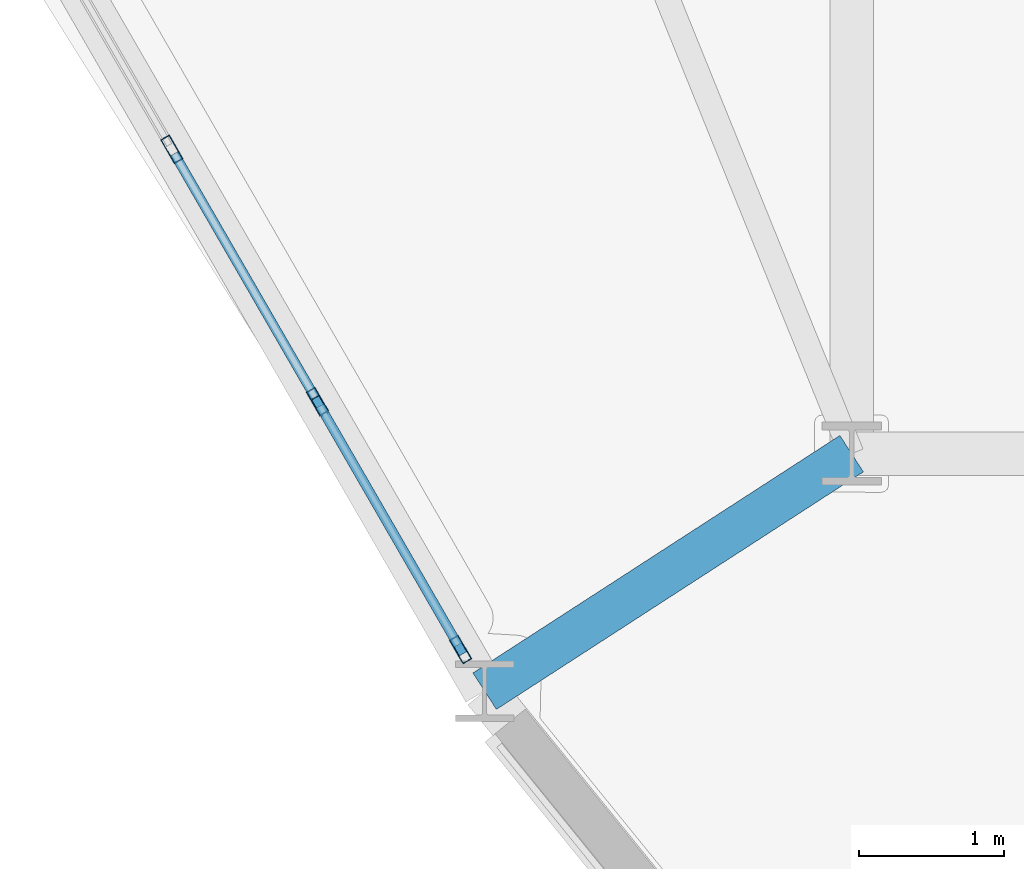
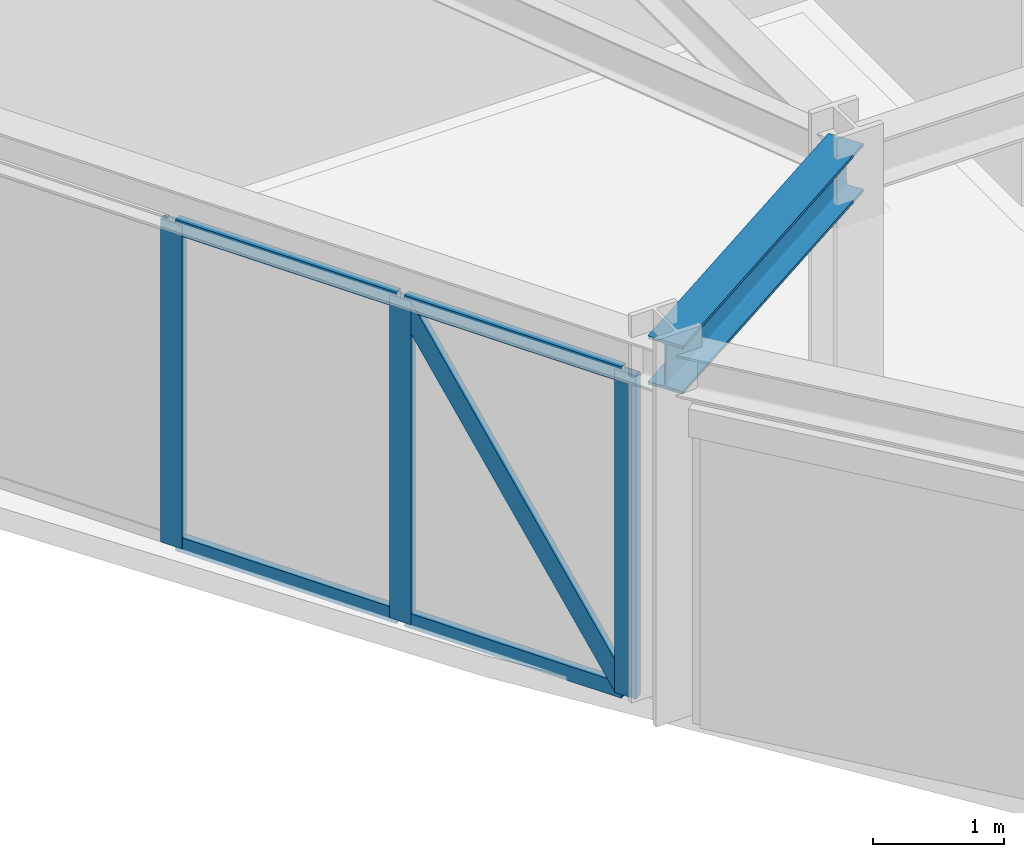
# One storey, part 2 of 14: 8 members, 1 beam, 1 element without a shape of its own.
"""IFC4 building model written with IfcOpenShell, lengths in metres."""

from ifc_helpers import new_model, si_unit, derived_unit, direction, frame, origin, origin_2d, place, context, subcontext, project, spatial, hollow_rectangle, i_section, extrude, source, transform, mapped, material, layer, layer_set, material_profile, profile_set, type_object, element, aggregate, save


model = new_model("IFC4")

# Units and contexts
model_context = context("Model", 3, precision=1e-05, world=origin(), true_north=direction((0.0, 1.0)))
body_context = subcontext(model_context, "Body", "Model", "MODEL_VIEW")
ifc_project = project(units=[si_unit("LENGTHUNIT", "METRE"), si_unit("AREAUNIT", "SQUARE_METRE"), si_unit("VOLUMEUNIT", "CUBIC_METRE"), si_unit("PLANEANGLEUNIT", "RADIAN"), si_unit("MASSUNIT", "GRAM", prefix="KILO"), derived_unit("THERMALTRANSMITTANCEUNIT", [(si_unit("POWERUNIT", "WATT"), 1), (si_unit("LENGTHUNIT", "METRE"), -2), (si_unit("THERMODYNAMICTEMPERATUREUNIT", "KELVIN"), -1)])], contexts=[model_context])

# Site, building, storey
site_placement = place(None, origin())
site = spatial("IfcSite", under=ifc_project, at=site_placement, CompositionType="ELEMENT")
building_placement = place(site_placement, origin())
building = spatial("IfcBuilding", under=site, at=building_placement, Name="Korsvarv Bourse and Concert Hall", CompositionType="ELEMENT")
storey_placement = place(building_placement, frame((0.0, 0.0, 172.199951171875)))
storey = spatial("IfcBuildingStorey", under=building, at=storey_placement, Name="L44", CompositionType="ELEMENT", Elevation=172.199951171875)

# Beam
ifc_material_1 = material(Name="Steel S355", Category="steel")
ifc_material_profile_1 = material_profile(ifc_material_1, i_section(OverallWidth=0.300048828125, OverallDepth=0.449951171875, WebThickness=0.013916015625, FlangeThickness=0.02587890625, FilletRadius=0.02099609375, at=origin_2d()), Name="HEB 450")
ifc_profile_set_1 = profile_set([ifc_material_profile_1], Name="Steel S355")
beam_type = type_object("IfcBeamType", Name="BM-HEB450", PredefinedType="SPANDREL", material=ifc_profile_set_1)
shared_shape_1 = source(origin(), body_context, "Body", "SweptSolid", [
    extrude(i_section(OverallWidth=0.300048828125, OverallDepth=0.449951171875, WebThickness=0.013916015625, FlangeThickness=0.02587890625, FilletRadius=0.02099609375, at=origin_2d()), origin(), (0.0, 0.0, 1.0), 3.025390625),
])
beam_placement = place(storey_placement, frame((25.060302734375, 22.356201171875, 3.175048828125), z_axis=(0.839509529418, 0.543344964104, 0.0), x_axis=(-0.543344964104, 0.839509529418, 0.0)))
element("IfcBeam", 1, at=beam_placement, inside=storey, type_object=beam_type, Name="L44 beam B-08", PredefinedType="SPANDREL", context=body_context, shape_type="MappedRepresentation", body=[
    mapped(shared_shape_1, transform((0.0, 0.0, 0.0), scale=1.0)),
])

# Curtain wall, members
ifc_material_2 = material(Name="Anodised aluminium and triple low-E glazing", Category="glass")
ifc_layer = layer(ifc_material_2, 0.199951171875)
ifc_layer_set = layer_set([ifc_layer], Name="Anodised aluminium and triple low-E glazing")
curtain_wall_type = type_object("IfcCurtainWallType", Name="CW-SYS-3", PredefinedType="NOTDEFINED", material=ifc_layer_set)
curtain_wall_placement = place(storey_placement, origin())
curtain_wall = element("IfcCurtainWall", 2, at=curtain_wall_placement, inside=storey, type_object=curtain_wall_type, Name="L44 CW3 curtain wall CW-L44-F07", PredefinedType="NOTDEFINED")
ifc_material_3 = material(Name="Extruded aluminium EN AW-6063 T66", Category="aluminium")
ifc_material_profile_2 = material_profile(ifc_material_3, hollow_rectangle(XDim=0.070068359375, YDim=0.18994140625, WallThickness=0.0048828125, at=origin_2d()), Name="ALU-M 70x190")
ifc_profile_set_2 = profile_set([ifc_material_profile_2], Name="Extruded aluminium EN AW-6063 T66")
member_type_1 = type_object("IfcMemberType", Name="CWM-190", PredefinedType="MULLION", material=ifc_profile_set_2)
shared_shape_2 = source(origin(), body_context, "Body", "SweptSolid", [
    extrude(hollow_rectangle(XDim=0.070068359375, YDim=0.18994140625, WallThickness=0.0048828125, at=origin_2d()), origin(), (0.0, 0.0, 1.0), 3.010009765625),
])
member_1_placement = place(storey_placement, frame((22.8955078125, 26.106201171875, 0.0), z_axis=(0.0, 0.0, 1.0), x_axis=(0.866028642731, 0.499994389938, 0.0)))
member_1 = element("IfcMember", 3, at=member_1_placement, type_object=member_type_1, Name="CW3 mullion 5", PredefinedType="MULLION", context=body_context, shape_type="MappedRepresentation", body=[
    mapped(shared_shape_2, transform((0.0, 0.0, 0.0), scale=1.0)),
])
member_2_placement = place(storey_placement, frame((23.9033203125, 24.3603515625, 0.0), z_axis=(0.0, 0.0, 1.0), x_axis=(0.866028642731, 0.499994389938, 0.0)))
member_2 = element("IfcMember", 4, at=member_2_placement, type_object=member_type_1, Name="CW3 mullion 6", PredefinedType="MULLION", context=body_context, shape_type="MappedRepresentation", body=[
    mapped(shared_shape_2, transform((0.0, 0.0, 0.0), scale=1.0)),
])
member_3_placement = place(storey_placement, frame((24.893798828125, 22.64453125, 0.0), z_axis=(0.0, 0.0, 1.0), x_axis=(0.866028642731, 0.499994389938, 0.0)))
member_3 = element("IfcMember", 5, at=member_3_placement, type_object=member_type_1, Name="CW3 mullion 7", PredefinedType="MULLION", context=body_context, shape_type="MappedRepresentation", body=[
    mapped(shared_shape_2, transform((0.0, 0.0, 0.0), scale=1.0)),
])
ifc_material_profile_3 = material_profile(ifc_material_3, hollow_rectangle(XDim=0.06494140625, YDim=0.139892578125, WallThickness=0.00390625, at=origin_2d()), Name="ALU-T 65x140")
ifc_profile_set_3 = profile_set([ifc_material_profile_3], Name="Extruded aluminium EN AW-6063 T66")
member_type_2 = type_object("IfcMemberType", Name="CWT-140", PredefinedType="USERDEFINED", material=ifc_profile_set_3)
shared_shape_3 = source(origin(), body_context, "Body", "SweptSolid", [
    extrude(hollow_rectangle(XDim=0.06494140625, YDim=0.139892578125, WallThickness=0.00390625, at=origin_2d()), origin(), (0.0, 0.0, 1.0), 1.9111328125),
])
member_4_placement = place(storey_placement, frame((23.9208984375, 24.329833984375, 0.032470703125), z_axis=(0.500013655634, -0.866017519557, 0.0), x_axis=(0.866017519557, 0.500013655634, 0.0)))
member_4 = element("IfcMember", 6, at=member_4_placement, type_object=member_type_2, Name="CW3 transom 6.1", ObjectType="TRANSOM", PredefinedType="USERDEFINED", context=body_context, shape_type="MappedRepresentation", body=[
    mapped(shared_shape_3, transform((0.0, 0.0, 0.0), scale=1.0)),
])
member_5_placement = place(storey_placement, frame((23.9208984375, 24.329833984375, 2.9775390625), z_axis=(0.500013655634, -0.866017519557, 0.0), x_axis=(0.866017519557, 0.500013655634, 0.0)))
member_5 = element("IfcMember", 7, at=member_5_placement, type_object=member_type_2, Name="CW3 transom 6.2", ObjectType="TRANSOM", PredefinedType="USERDEFINED", context=body_context, shape_type="MappedRepresentation", body=[
    mapped(shared_shape_3, transform((0.0, 0.0, 0.0), scale=1.0)),
])
shared_shape_4 = source(origin(), body_context, "Body", "SweptSolid", [
    extrude(hollow_rectangle(XDim=0.06494140625, YDim=0.139892578125, WallThickness=0.00390625, at=origin_2d()), origin(), (0.0, 0.0, 1.0), 1.946044921875),
])
member_6_placement = place(storey_placement, frame((22.912841796875, 26.075927734375, 0.032470703125), z_axis=(0.500051850797, -0.865995465643, 0.0), x_axis=(0.865995465643, 0.500051850797, 0.0)))
member_6 = element("IfcMember", 8, at=member_6_placement, type_object=member_type_2, Name="CW3 transom 5.1", ObjectType="TRANSOM", PredefinedType="USERDEFINED", context=body_context, shape_type="MappedRepresentation", body=[
    mapped(shared_shape_4, transform((0.0, 0.0, 0.0), scale=1.0)),
])
member_7_placement = place(storey_placement, frame((22.912841796875, 26.075927734375, 2.9775390625), z_axis=(0.500051850797, -0.865995465643, 0.0), x_axis=(0.865995465643, 0.500051850797, 0.0)))
member_7 = element("IfcMember", 9, at=member_7_placement, type_object=member_type_2, Name="CW3 transom 5.2", ObjectType="TRANSOM", PredefinedType="USERDEFINED", context=body_context, shape_type="MappedRepresentation", body=[
    mapped(shared_shape_4, transform((0.0, 0.0, 0.0), scale=1.0)),
])
ifc_material_profile_4 = material_profile(ifc_material_3, hollow_rectangle(XDim=0.06494140625, YDim=0.1650390625, WallThickness=0.0048828125, at=origin_2d()), Name="ALU-M 65x165")
ifc_profile_set_4 = profile_set([ifc_material_profile_4], Name="Extruded aluminium EN AW-6063 T66")
member_type_3 = type_object("IfcMemberType", Name="CWM-165", PredefinedType="MULLION", material=ifc_profile_set_4)
shared_shape_5 = source(origin(), body_context, "Body", "SweptSolid", [
    extrude(hollow_rectangle(XDim=0.06494140625, YDim=0.1650390625, WallThickness=0.0048828125, at=origin_2d()), origin(), (0.0, 0.0, 1.0), 3.45654296875),
])
member_8_placement = place(storey_placement, frame((24.87646484375, 22.6748046875, 0.06494140625), z_axis=(-0.276455281382, 0.478817156998, 0.833250627099), x_axis=(-0.866017519557, -0.500013655634, 0.0)))
member_8 = element("IfcMember", 10, at=member_8_placement, type_object=member_type_3, Name="CW3 diagonal mullion 6", PredefinedType="MULLION", context=body_context, shape_type="MappedRepresentation", body=[
    mapped(shared_shape_5, transform((0.0, 0.0, 0.0), scale=1.0)),
])
aggregate(curtain_wall, [member_1, member_2, member_3, member_6, member_7, member_4, member_5, member_8])

save(model, "model.ifc")
